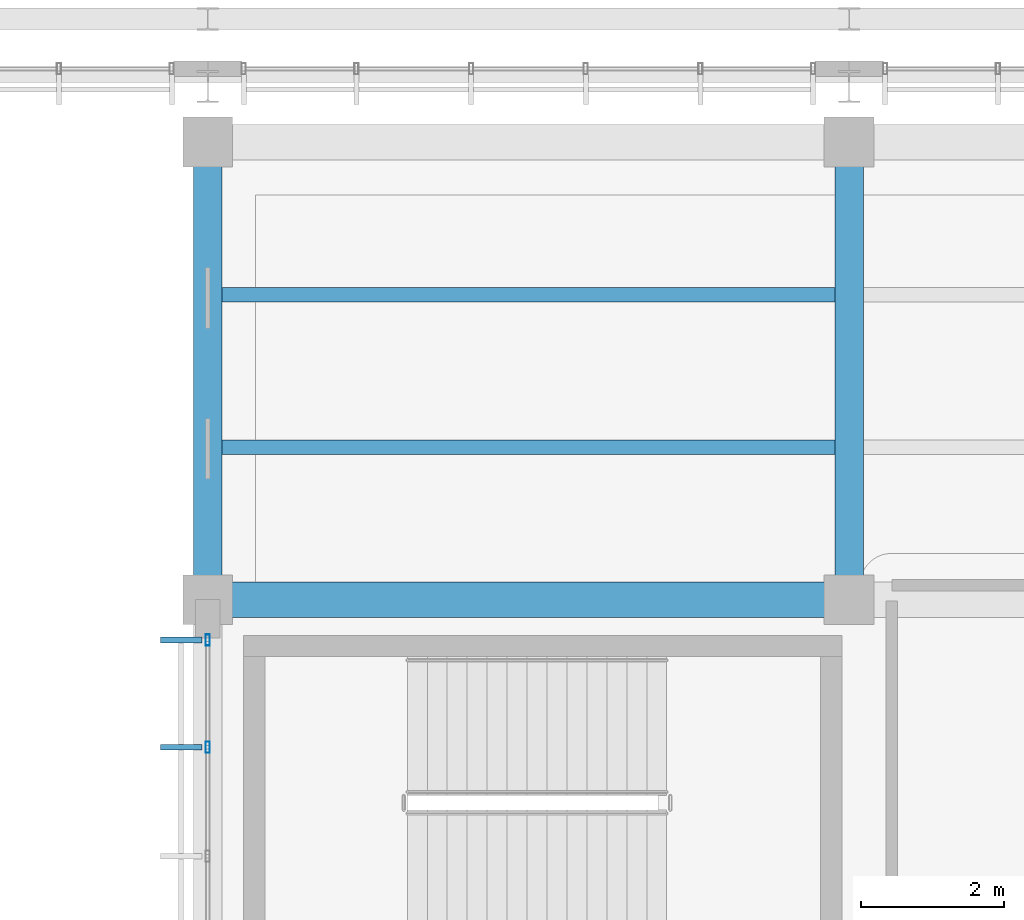
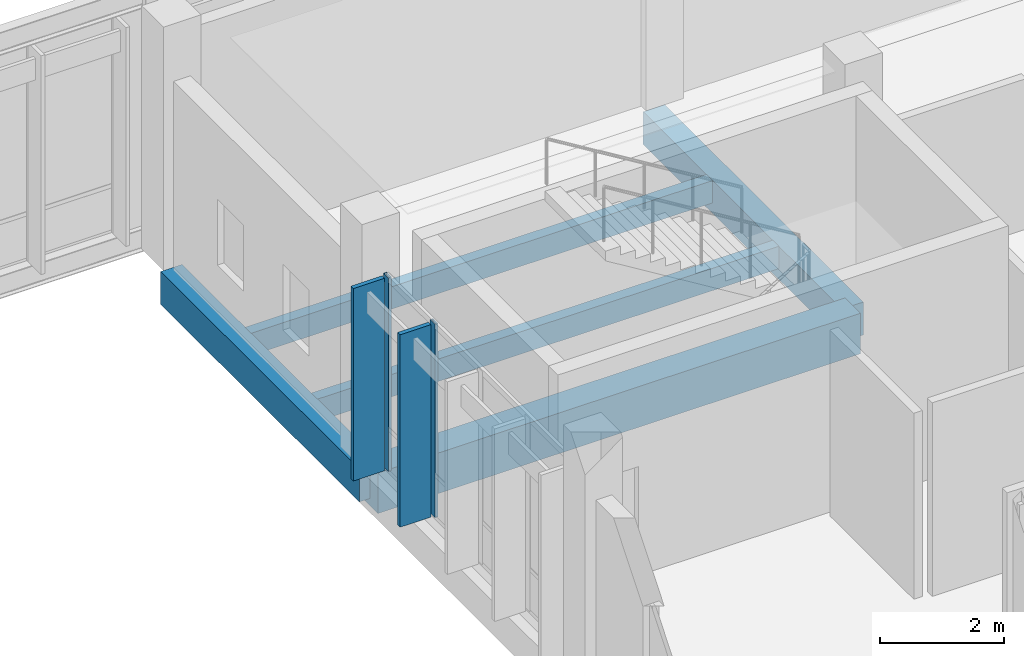
# One storey, part 94 of 177: 5 beams, 4 members, 1 element without a shape of its own.
"""IFC4 building model written with IfcOpenShell, lengths in metres."""

from ifc_helpers import new_model, si_unit, direction, frame, origin, origin_2d, place, context, subcontext, project, spatial, rectangle, hollow_rectangle, extrude, material, material_profile, profile_set, type_object, element, aggregate, save


model = new_model("IFC4")

# Units and contexts
model_context = context("Model", 3, precision=1e-05, world=origin(), true_north=direction((0.0, 1.0)))
body_context = subcontext(model_context, "Body", "Model", "MODEL_VIEW")
ifc_project = project(units=[si_unit("LENGTHUNIT", "METRE"), si_unit("AREAUNIT", "SQUARE_METRE"), si_unit("VOLUMEUNIT", "CUBIC_METRE"), si_unit("PLANEANGLEUNIT", "RADIAN"), si_unit("MASSUNIT", "GRAM", prefix="KILO")], contexts=[model_context])

# Site, building, storey
site_placement = place(None, origin())
site = spatial("IfcSite", under=ifc_project, at=site_placement, CompositionType="ELEMENT")
building_placement = place(site_placement, origin())
building = spatial("IfcBuilding", under=site, at=building_placement, Name="Chiffa Square Polytechnic", CompositionType="ELEMENT")
storey_placement = place(building_placement, frame((0.0, 0.0, 4.800048828125)))
storey = spatial("IfcBuildingStorey", under=building, at=storey_placement, Name="L01", CompositionType="ELEMENT", Elevation=4.800048828125)

# Beams
ifc_material_1 = material(Name="Concrete C35/45", Category="concrete")
ifc_material_profile_1 = material_profile(ifc_material_1, rectangle(XDim=0.39990234375, YDim=0.64990234375, at=origin_2d()), Name="RC 400x650")
ifc_profile_set_1 = profile_set([ifc_material_profile_1], Name="Concrete C35/45")
beam_type_1 = type_object("IfcBeamType", Name="BM-RC-400X650", PredefinedType="BEAM", material=ifc_profile_set_1)
for number, where, z_axis, x_axis, name in (
    (1, (148.199951171875, 51.0, -0.60498046875), (0.0, 1.0, 0.0), (-1.0, 0.0, 0.0), "Primary floor girder BM-V1-L01-Y-1482-0510"),
    (2, (157.199951171875, 51.0, -0.60498046875), (0.0, 1.0, 0.0), (-1.0, 0.0, 0.0), "Primary floor girder BM-V1-L01-Y-1572-0510"),
):
    element("IfcBeam", number, at=place(storey_placement, frame(where, z_axis=z_axis, x_axis=x_axis)), inside=storey, type_object=beam_type_1, Name=name, PredefinedType="BEAM", context=body_context, shape_type="SweptSolid", body=[
        extrude(rectangle(XDim=0.39990234375, YDim=0.64990234375, at=origin_2d()), origin(), (0.0, 0.0, 1.0), 6.419921875),
    ])
ifc_material_2 = material(Name="Concrete C40/50", Category="concrete")
ifc_material_profile_2 = material_profile(ifc_material_2, rectangle(XDim=0.5, YDim=0.800048828125, at=origin_2d()), Name="RC 500x800")
ifc_profile_set_2 = profile_set([ifc_material_profile_2], Name="Concrete C40/50")
beam_type_2 = type_object("IfcBeamType", Name="BM-RC-500X800", PredefinedType="BEAM", material=ifc_profile_set_2)
beam_placement = place(storey_placement, frame((148.199951171875, 51.0, -0.679931640625), z_axis=(1.0, 0.0, 0.0), x_axis=(0.0, 1.0, 0.0)))
element("IfcBeam", 3, at=beam_placement, inside=storey, type_object=beam_type_2, Name="Primary floor girder BM-V1-L01-X-1482-0510", PredefinedType="BEAM", context=body_context, shape_type="SweptSolid", body=[
    extrude(rectangle(XDim=0.5, YDim=0.800048828125, at=origin_2d()), origin(), (0.0, 0.0, 1.0), 9.0),
])

# Curtain wall, members
ifc_material_3 = material(Name="Aluminium EN AW-6060 T66 and glulam shading", Category="wood")
curtain_wall_type = type_object("IfcCurtainWallType", Name="CW-VERT-540X440", PredefinedType="USERDEFINED", material=ifc_material_3)
curtain_wall_placement = place(storey_placement, origin())
curtain_wall = element("IfcCurtainWall", 4, at=curtain_wall_placement, inside=storey, type_object=curtain_wall_type, Name="Curtain wall CW-V1-L01-127", ObjectType="CURTAIN WALL", PredefinedType="USERDEFINED")
ifc_material_4 = material(Name="Aluminium EN AW-6060 T66", Category="aluminium")
ifc_material_profile_3 = material_profile(ifc_material_4, hollow_rectangle(XDim=0.06005859375, YDim=0.159912109375, WallThickness=0.00390625, at=origin_2d()), Name="ALU 60x160x4")
ifc_profile_set_3 = profile_set([ifc_material_profile_3], Name="Aluminium EN AW-6060 T66")
member_type_1 = type_object("IfcMemberType", Name="CWM-ALU-65X150", PredefinedType="MULLION", material=ifc_profile_set_3)
member_1_placement = place(storey_placement, frame((148.199951171875, 50.43505859375, 0.0), z_axis=(0.0, 0.0, 1.0), x_axis=(1.0, 0.0, 0.0)))
member_1 = element("IfcMember", 5, at=member_1_placement, type_object=member_type_1, Name="Curtain wall mullion CW-V1-L01-127-M00", PredefinedType="MULLION", context=body_context, shape_type="SweptSolid", body=[
    extrude(hollow_rectangle(XDim=0.06005859375, YDim=0.159912109375, WallThickness=0.00390625, at=origin_2d()), origin(), (0.0, 0.0, 1.0), 3.81494140625),
])
member_2_placement = place(storey_placement, frame((148.199951171875, 48.929931640625, 0.0), z_axis=(0.0, 0.0, 1.0), x_axis=(1.0, 0.0, 0.0)))
member_2 = element("IfcMember", 6, at=member_2_placement, type_object=member_type_1, Name="Curtain wall mullion CW-V1-L01-127-M01", PredefinedType="MULLION", context=body_context, shape_type="SweptSolid", body=[
    extrude(hollow_rectangle(XDim=0.06005859375, YDim=0.159912109375, WallThickness=0.00390625, at=origin_2d()), origin(), (0.0, 0.0, 1.0), 3.81494140625),
])
ifc_material_5 = material(Name="Glulam GL28h", Category="wood")
ifc_material_profile_4 = material_profile(ifc_material_5, rectangle(XDim=0.080078125, YDim=0.580078125, at=origin_2d()), Name="GL28h 80x580")
ifc_profile_set_4 = profile_set([ifc_material_profile_4], Name="Glulam GL28h")
member_type_2 = type_object("IfcMemberType", Name="CWM-GL-80X580", PredefinedType="MULLION", material=ifc_profile_set_4)
member_3_placement = place(storey_placement, frame((147.827880859375, 50.43505859375, 0.010009765625), z_axis=(0.0, 0.0, 1.0), x_axis=(0.0, -1.0, 0.0)))
member_3 = element("IfcMember", 7, at=member_3_placement, type_object=member_type_2, Name="Exterior glulam solar fin CW-V1-L01-127-FN00", PredefinedType="MULLION", context=body_context, shape_type="SweptSolid", body=[
    extrude(rectangle(XDim=0.080078125, YDim=0.580078125, at=origin_2d()), origin(), (0.0, 0.0, 1.0), 3.794921875),
])
member_4_placement = place(storey_placement, frame((147.827880859375, 48.929931640625, 0.010009765625), z_axis=(0.0, 0.0, 1.0), x_axis=(0.0, -1.0, 0.0)))
member_4 = element("IfcMember", 8, at=member_4_placement, type_object=member_type_2, Name="Exterior glulam solar fin CW-V1-L01-127-FN01", PredefinedType="MULLION", context=body_context, shape_type="SweptSolid", body=[
    extrude(rectangle(XDim=0.080078125, YDim=0.580078125, at=origin_2d()), origin(), (0.0, 0.0, 1.0), 3.794921875),
])
aggregate(curtain_wall, [member_1, member_3, member_2, member_4])

# Beams
ifc_material_profile_5 = material_profile(ifc_material_5, rectangle(XDim=0.199951171875, YDim=0.43994140625, at=origin_2d()), Name="GL28h 200x440")
ifc_profile_set_5 = profile_set([ifc_material_profile_5], Name="Glulam GL28h")
beam_type_3 = type_object("IfcBeamType", Name="JST-GL-200X440", PredefinedType="JOIST", material=ifc_profile_set_5)
for number, where, z_axis, x_axis, name in (
    (9, (148.39794921875, 53.139892578125, -0.5), (1.0, 0.0, 0.0), (0.0, 1.0, 0.0), "Secondary floor joist JST-V1-L01-1482-0531"),
    (10, (148.39794921875, 55.280029296875, -0.5), (1.0, 0.0, 0.0), (0.0, 1.0, 0.0), "Secondary floor joist JST-V1-L01-1482-0553"),
):
    element("IfcBeam", number, at=place(storey_placement, frame(where, z_axis=z_axis, x_axis=x_axis)), inside=storey, type_object=beam_type_3, Name=name, PredefinedType="JOIST", context=body_context, shape_type="SweptSolid", body=[
        extrude(rectangle(XDim=0.199951171875, YDim=0.43994140625, at=origin_2d()), origin(), (0.0, 0.0, 1.0), 8.60400390625),
    ])

save(model, "model.ifc")
